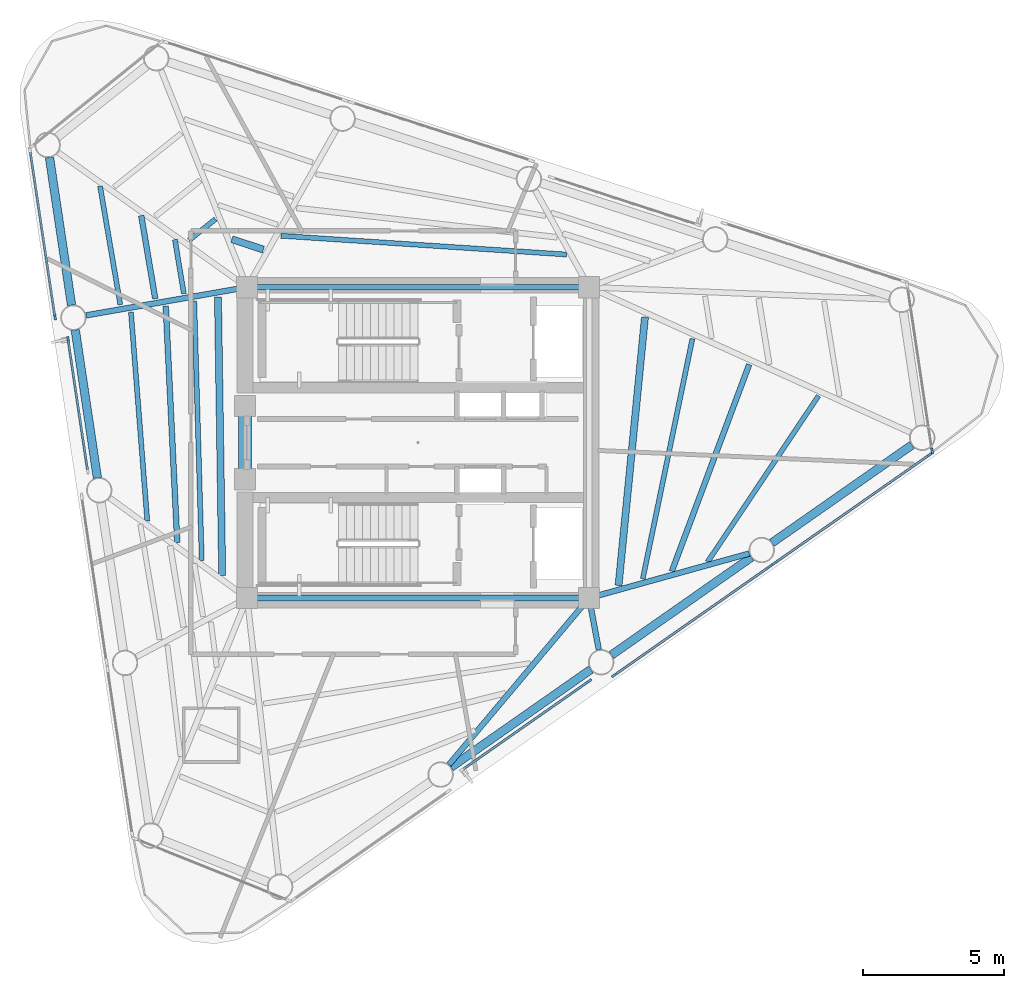
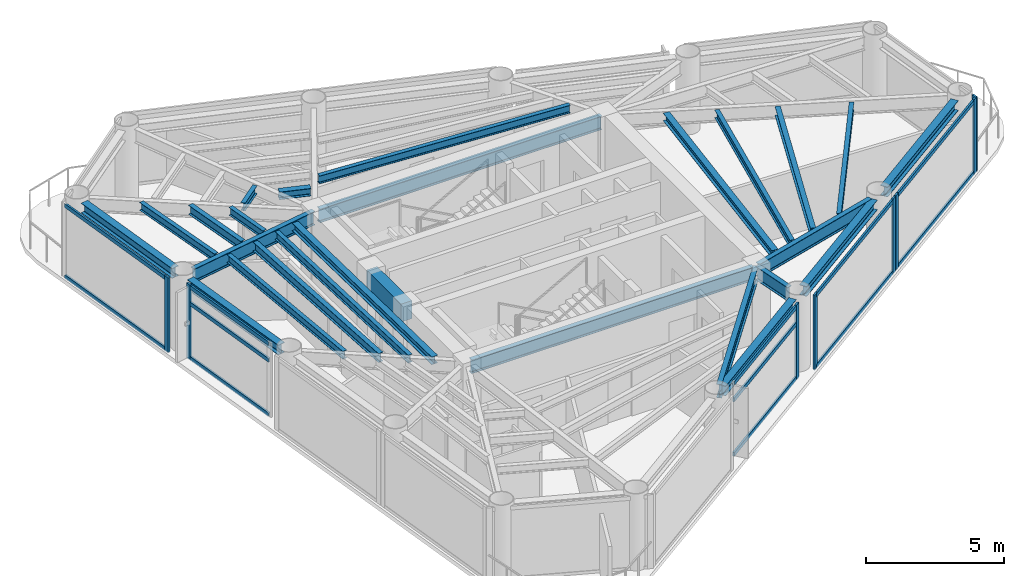
# One storey, part 2 of 9: 26 beams, 20 members, 6 elements without a shape of their own.
"""IFC4 building model written with IfcOpenShell, lengths in metres."""

import ifcopenshell
import ifcopenshell.guid

model = None  # the IFC model being written
_history = None  # IfcOwnerHistory: only IFC2X3 demands one
_inside = {}  # id of a spatial element -> (the spatial element, [elements in it])
_under = {}  # id of a project, library or spatial element -> (it, [spatial elements below it])
_declared = {}  # id of a project -> (the project, [libraries it declares])
_typed = {}  # id of a type object -> (the type object, [elements of that type])
_made_of = {}  # id of a material, layer set ... -> (it, [elements and type objects made of it])


def new_model(schema):
    """Start an empty IFC model of exactly this schema.

    Asked for "IFC4X3", IfcOpenShell would pick the latest addendum, in which some entities
    have other attributes; the version numbers below select the first issue.
    IFC2X3 requires an IfcOwnerHistory on every rooted entity: one is made here for all.
    """
    global model, _history
    if schema == "IFC4X3":
        model = ifcopenshell.file(schema_version=(4, 3, 0, 0))
    else:
        model = ifcopenshell.file(schema=schema)
    _inside.clear()
    _under.clear()
    _declared.clear()
    _typed.clear()
    _made_of.clear()
    _history = None
    if model.schema == "IFC2X3":
        org = make("IfcOrganization", Name="unknown")
        user = make(
            "IfcPersonAndOrganization",
            ThePerson=make("IfcPerson", FamilyName="unknown"),
            TheOrganization=org,
        )
        app = make(
            "IfcApplication",
            ApplicationDeveloper=org,
            Version="unknown",
            ApplicationFullName="unknown",
            ApplicationIdentifier="unknown",
        )
        _history = make(
            "IfcOwnerHistory",
            OwningUser=user,
            OwningApplication=app,
            ChangeAction="ADDED",
            CreationDate=0,
        )
    return model


def make(cls, **values):
    """One entity of the class cls with the attributes given. An attribute that is None is left unset."""
    return model.create_entity(
        cls, **{name: value for name, value in values.items() if value is not None}
    )


def rooted(cls, **values):
    """An entity with a GlobalId (a new one), such as an element, a storey or a relation."""
    return make(cls, GlobalId=ifcopenshell.guid.new(), OwnerHistory=_history, **values)


def si_unit(unit_type, name, prefix=None):
    """IfcSIUnit, for example si_unit("LENGTHUNIT", "METRE", prefix="MILLI")."""
    return make("IfcSIUnit", UnitType=unit_type, Prefix=prefix, Name=name)


def assignment(units):
    """IfcUnitAssignment: the units of a project."""
    return None if units is None else make("IfcUnitAssignment", Units=units)


def point(xyz):
    """IfcCartesianPoint."""
    return None if xyz is None else make("IfcCartesianPoint", Coordinates=xyz)


def direction(xyz):
    """IfcDirection."""
    return None if xyz is None else make("IfcDirection", DirectionRatios=xyz)


def frame(location, z_axis=None, x_axis=None):
    """IfcAxis2Placement3D, a coordinate frame: its origin and axes. An axis left out is left unset."""
    return make(
        "IfcAxis2Placement3D",
        Location=point(location),
        Axis=direction(z_axis),
        RefDirection=direction(x_axis),
    )


def frame_2d(location, x_axis=None):
    """IfcAxis2Placement2D, a coordinate frame in the plane: its origin and x axis."""
    return make(
        "IfcAxis2Placement2D", Location=point(location), RefDirection=direction(x_axis)
    )


def origin():
    """The frame at (0, 0, 0) with its axes left unset."""
    return frame((0.0, 0.0, 0.0))


def origin_2d():
    """The frame at (0, 0) in the plane with its x axis left unset."""
    return frame_2d((0.0, 0.0))


def place(relative_to, where):
    """IfcLocalPlacement: puts the frame where relative to a parent placement (None: the world)."""
    return make(
        "IfcLocalPlacement", PlacementRelTo=relative_to, RelativePlacement=where
    )


def context(
    kind, dimensions, precision=None, world=None, true_north=None, identifier=None
):
    """IfcGeometricRepresentationContext, for example the 3D "Model" context."""
    return make(
        "IfcGeometricRepresentationContext",
        ContextIdentifier=identifier,
        ContextType=kind,
        CoordinateSpaceDimension=dimensions,
        Precision=precision,
        WorldCoordinateSystem=world,
        TrueNorth=true_north,
    )


def subcontext(parent, identifier, kind, view, scale=None):
    """IfcGeometricRepresentationSubContext, for example "Body" below "Model"."""
    return make(
        "IfcGeometricRepresentationSubContext",
        ContextIdentifier=identifier,
        ContextType=kind,
        ParentContext=parent,
        TargetScale=scale,
        TargetView=view,
    )


def project(units=None, contexts=None):
    """IfcProject with its units and contexts."""
    return rooted(
        "IfcProject",
        Name="project",
        RepresentationContexts=contexts,
        UnitsInContext=assignment(units),
    )


def spatial(cls, under=None, at=None, **own):
    """A site, building, storey or space (cls), placed at a placement, below another one or the project."""
    s = rooted(cls, ObjectPlacement=at, **own)
    if under is not None:
        _under.setdefault(under.id(), (under, []))[1].append(s)
    return s


def profile(cls, at=None, kind="AREA", **sizes):
    """A parametric profile (cls). Its sizes go by their IFC names, for example OverallWidth=200.0."""
    return make(cls, ProfileType=kind, Position=at, **sizes)


def rectangle(**sizes):
    """IfcRectangleProfileDef."""
    return profile("IfcRectangleProfileDef", **sizes)


def i_section(**sizes):
    """IfcIShapeProfileDef."""
    return profile("IfcIShapeProfileDef", **sizes)


def extrude(swept, where, along, depth):
    """IfcExtrudedAreaSolid: the profile swept, set in the frame where, extruded along a direction by depth."""
    return make(
        "IfcExtrudedAreaSolid",
        SweptArea=swept,
        Position=where,
        ExtrudedDirection=direction(along),
        Depth=depth,
    )


def shape(context_of_items, identifier, shape_type, items):
    """IfcShapeRepresentation: the items that make up one representation, for example the "Body"."""
    return make(
        "IfcShapeRepresentation",
        ContextOfItems=context_of_items,
        RepresentationIdentifier=identifier,
        RepresentationType=shape_type,
        Items=items,
    )


def source(mapping_origin, context_of_items, identifier, shape_type, items):
    """IfcRepresentationMap: a shape defined once, which mapped items show again and again."""
    return make(
        "IfcRepresentationMap",
        MappingOrigin=mapping_origin,
        MappedRepresentation=shape(context_of_items, identifier, shape_type, items),
    )


def transform(
    local_origin,
    x_axis=None,
    y_axis=None,
    z_axis=None,
    scale=None,
    scale2=None,
    scale3=None,
    uniform=True,
):
    """IfcCartesianTransformationOperator3D, or its non-uniform kind. x_axis, y_axis, z_axis: its Axis1, 2, 3."""
    if uniform:
        return make(
            "IfcCartesianTransformationOperator3D",
            Axis1=direction(x_axis),
            Axis2=direction(y_axis),
            LocalOrigin=point(local_origin),
            Scale=scale,
            Axis3=direction(z_axis),
        )
    return make(
        "IfcCartesianTransformationOperator3DnonUniform",
        Axis1=direction(x_axis),
        Axis2=direction(y_axis),
        LocalOrigin=point(local_origin),
        Scale=scale,
        Axis3=direction(z_axis),
        Scale2=scale2,
        Scale3=scale3,
    )


def mapped(mapping_source, mapping_target):
    """IfcMappedItem: shows the shape of a source again, moved by a transform."""
    return make(
        "IfcMappedItem", MappingSource=mapping_source, MappingTarget=mapping_target
    )


def material(Name=None, Category=None):
    """IfcMaterial."""
    return make("IfcMaterial", Name=Name, Category=Category)


def layer(
    of_material, thickness, ventilated=None, Name=None, Category=None, Priority=None
):
    """IfcMaterialLayer: one layer of a wall or slab, of a material (None: an air gap)."""
    return make(
        "IfcMaterialLayer",
        Material=of_material,
        LayerThickness=thickness,
        IsVentilated=ventilated,
        Name=Name,
        Category=Category,
        Priority=Priority,
    )


def layer_set(layers, Name=None):
    """IfcMaterialLayerSet."""
    return make("IfcMaterialLayerSet", MaterialLayers=layers, LayerSetName=Name)


def material_profile(
    of_material, cross_section, Name=None, Category=None, Priority=None
):
    """IfcMaterialProfile: a cross section and its material."""
    return make(
        "IfcMaterialProfile",
        Name=Name,
        Material=of_material,
        Profile=cross_section,
        Priority=Priority,
        Category=Category,
    )


def profile_set(profiles, Name=None, composite=None):
    """IfcMaterialProfileSet."""
    return make(
        "IfcMaterialProfileSet",
        Name=Name,
        MaterialProfiles=profiles,
        CompositeProfile=composite,
    )


def made_of(thing, what):
    """Note that an element or type object is made of a material, layer set ...; save() writes the relation."""
    if what is not None:
        _made_of.setdefault(what.id(), (what, []))[1].append(thing)
    return thing


def type_object(cls, material=None, **own):
    """A type object (cls), such as IfcWallType, which elements share."""
    return made_of(rooted(cls, **own), material)


def element(
    cls,
    number,
    at=None,
    inside=None,
    cuts=None,
    type_object=None,
    material=None,
    context=None,
    identifier="Body",
    shape_type=None,
    held_by="IfcProductDefinitionShape",
    body=None,
    shapes=None,
    **own,
):
    """One element of the class cls, such as IfcWall. Its Tag is "e" and its number.

    at: its placement. inside: the storey or other place that contains it. cuts: it is an
    opening in that element (IfcRelVoidsElement). A single representation is given by context,
    identifier, shape_type and body (its items); several are given by shapes. held_by: the class
    of the entity that holds the representations. save() writes the other relations.
    """
    e = rooted(cls, Tag="e%d" % number, ObjectPlacement=at, **own)
    if body is not None:
        shapes = [shape(context, identifier, shape_type, body)]
    if shapes is not None:
        e.Representation = make(held_by, Representations=shapes)
    if inside is not None:
        _inside.setdefault(inside.id(), (inside, []))[1].append(e)
    if cuts is not None:
        rooted(
            "IfcRelVoidsElement", RelatingBuildingElement=cuts, RelatedOpeningElement=e
        )
    if type_object is not None:
        _typed.setdefault(type_object.id(), (type_object, []))[1].append(e)
    return made_of(e, material)


def aggregate(whole, parts):
    """IfcRelAggregates: a whole, such as a stair, and the parts it consists of."""
    return rooted("IfcRelAggregates", RelatingObject=whole, RelatedObjects=parts)


def save(model, path):
    """Write the relations noted so far, then the file.

    IfcRelAggregates (storeys below a building ...), IfcRelContainedInSpatialStructure (elements
    in a storey), IfcRelDefinesByType, IfcRelAssociatesMaterial and IfcRelDeclares: one each for
    every whole, place, type object, material and project.
    """
    for whole, parts in _under.values():
        aggregate(whole, parts)
    for where, things in _inside.values():
        rooted(
            "IfcRelContainedInSpatialStructure",
            RelatedElements=things,
            RelatingStructure=where,
        )
    for kind, things in _typed.values():
        rooted("IfcRelDefinesByType", RelatedObjects=things, RelatingType=kind)
    for what, things in _made_of.values():
        rooted("IfcRelAssociatesMaterial", RelatedObjects=things, RelatingMaterial=what)
    for by, libraries in _declared.values():
        rooted("IfcRelDeclares", RelatingContext=by, RelatedDefinitions=libraries)
    model.write(path)


model = new_model("IFC4")

# Units and contexts
model_context = context("Model", 3, precision=1e-05, world=origin(), true_north=direction((0.0, 1.0)))
body_context = subcontext(model_context, "Body", "Model", "MODEL_VIEW")
ifc_project = project(units=[si_unit("LENGTHUNIT", "METRE"), si_unit("AREAUNIT", "SQUARE_METRE"), si_unit("VOLUMEUNIT", "CUBIC_METRE"), si_unit("PLANEANGLEUNIT", "RADIAN"), si_unit("MASSUNIT", "GRAM", prefix="KILO")], contexts=[model_context])

# Site, building, storey
site_placement = place(None, origin())
site = spatial("IfcSite", under=ifc_project, at=site_placement, CompositionType="ELEMENT")
building_placement = place(site_placement, origin())
building = spatial("IfcBuilding", under=site, at=building_placement, Name="Yunling Apex Tower", CompositionType="ELEMENT")
storey_placement = place(building_placement, frame((0.0, 0.0, 274.550048828125)))
storey = spatial("IfcBuildingStorey", under=building, at=storey_placement, Name="L67", CompositionType="ELEMENT", Elevation=274.550048828125)

# Beams
ifc_material_1 = material(Name="Concrete C40", Category="concrete")
ifc_material_profile_1 = material_profile(ifc_material_1, rectangle(XDim=0.449951171875, YDim=0.800048828125, at=origin_2d()))
ifc_profile_set_1 = profile_set([ifc_material_profile_1], Name="Concrete C40")
beam_type_1 = type_object("IfcBeamType", Name="BC-CPL-3", PredefinedType="BEAM", material=ifc_profile_set_1)
shared_shape_1 = source(origin(), body_context, "Body", "SweptSolid", [
    extrude(rectangle(XDim=0.449951171875, YDim=0.800048828125, at=origin_2d()), origin(), (0.0, 0.0, 1.0), 2.5),
])
beam_1_placement = place(storey_placement, frame((-6.125, -1.25, 2.820068359375), z_axis=(0.0, 1.0, 0.0), x_axis=(-1.0, 0.0, 0.0)))
element("IfcBeam", 1, at=beam_1_placement, inside=storey, type_object=beam_type_1, Name="L67 Core West Portal Coupling Beam", PredefinedType="BEAM", context=body_context, shape_type="MappedRepresentation", body=[
    mapped(shared_shape_1, transform((0.0, 0.0, 0.0), scale=1.0)),
])
ifc_material_2 = material(Name="Steel Q355B", Category="steel")
ifc_material_profile_2 = material_profile(ifc_material_2, i_section(OverallWidth=0.199951171875, OverallDepth=0.60009765625, WebThickness=0.010986328125, FlangeThickness=0.01708984375, FilletRadius=0.02197265625, at=origin_2d()))
ifc_profile_set_2 = profile_set([ifc_material_profile_2], Name="Steel Q355B")
beam_type_2 = type_object("IfcBeamType", Name="BG-PRI-5", PredefinedType="USERDEFINED", material=ifc_profile_set_2)
shared_shape_2 = source(origin(), body_context, "Body", "SweptSolid", [
    extrude(i_section(OverallWidth=0.199951171875, OverallDepth=0.60009765625, WebThickness=0.010986328125, FlangeThickness=0.01708984375, FilletRadius=0.02197265625, at=origin_2d()), origin(), (0.0, 0.0, 1.0), 11.7998046875),
])
for number, where, z_axis, x_axis, name in (
    (2, (-5.89990234375, -5.5, 2.919921875), (1.0, 0.0, 0.0), (0.0, 1.0, 0.0), "L67 Core Ring Tie Beam 1"),
    (3, (5.89990234375, 5.5, 2.919921875), (-1.0, 0.0, 0.0), (0.0, -1.0, 0.0), "L67 Core Ring Tie Beam 3"),
):
    element("IfcBeam", number, at=place(storey_placement, frame(where, z_axis=z_axis, x_axis=x_axis)), inside=storey, type_object=beam_type_2, Name=name, ObjectType="GIRDER", PredefinedType="USERDEFINED", context=body_context, shape_type="MappedRepresentation", body=[
        mapped(shared_shape_2, transform((0.0, 0.0, 0.0), scale=1.0)),
    ])
ifc_material_profile_3 = material_profile(ifc_material_2, i_section(OverallWidth=0.300048828125, OverallDepth=0.43994140625, WebThickness=0.010986328125, FlangeThickness=0.01806640625, FilletRadius=0.02197265625, at=origin_2d()))
ifc_profile_set_3 = profile_set([ifc_material_profile_3], Name="Steel Q355B")
beam_type_3 = type_object("IfcBeamType", Name="BP-SPN-3", PredefinedType="SPANDREL", material=ifc_profile_set_3)
shared_shape_3 = source(origin(), body_context, "Body", "SweptSolid", [
    extrude(i_section(OverallWidth=0.300048828125, OverallDepth=0.43994140625, WebThickness=0.010986328125, FlangeThickness=0.01806640625, FilletRadius=0.02197265625, at=origin_2d()), origin(), (0.0, 0.0, 1.0), 6.043701171875),
])
for number, where, z_axis, x_axis, name in (
    (4, (1.160888671875, -11.490478515625, 3.0), (0.819546828705, 0.5730122124, 0.0), (-0.5730122124, 0.819546828705, 0.0), "L67 Perimeter Spandrel Beam 2"),
    (5, (6.841796875, -7.5185546875, 3.0), (0.819546828705, 0.5730122124, 0.0), (-0.5730122124, 0.819546828705, 0.0), "L67 Perimeter Spandrel Beam 3"),
    (6, (12.522705078125, -3.546630859375, 3.0), (0.819546828705, 0.5730122124, 0.0), (-0.5730122124, 0.819546828705, 0.0), "L67 Perimeter Spandrel Beam 4"),
):
    element("IfcBeam", number, at=place(storey_placement, frame(where, z_axis=z_axis, x_axis=x_axis)), inside=storey, type_object=beam_type_3, Name=name, PredefinedType="SPANDREL", context=body_context, shape_type="MappedRepresentation", body=[
        mapped(shared_shape_3, transform((0.0, 0.0, 0.0), scale=1.0)),
    ])
shared_shape_4 = source(origin(), body_context, "Body", "SweptSolid", [
    extrude(i_section(OverallWidth=0.300048828125, OverallDepth=0.43994140625, WebThickness=0.010986328125, FlangeThickness=0.01806640625, FilletRadius=0.02197265625, at=origin_2d()), origin(), (0.0, 0.0, 1.0), 5.289306640625),
])
for number, where, z_axis, x_axis, name in (
    (7, (-13.044189453125, 10.09326171875, 3.0), (0.147841619944, -0.989011049186, 0.0), (0.989011049186, 0.147841619944, 0.0), "L67 Perimeter Spandrel Beam 11"),
    (8, (-12.131103515625, 3.98388671875, 3.0), (0.147796471114, -0.989017797174, 0.0), (0.989017797174, 0.147796471114, 0.0), "L67 Perimeter Spandrel Beam 12"),
):
    element("IfcBeam", number, at=place(storey_placement, frame(where, z_axis=z_axis, x_axis=x_axis)), inside=storey, type_object=beam_type_3, Name=name, PredefinedType="SPANDREL", context=body_context, shape_type="MappedRepresentation", body=[
        mapped(shared_shape_4, transform((0.0, 0.0, 0.0), scale=1.0)),
    ])
shared_shape_5 = source(origin(), body_context, "Body", "SweptSolid", [
    extrude(i_section(OverallWidth=0.199951171875, OverallDepth=0.60009765625, WebThickness=0.010986328125, FlangeThickness=0.01708984375, FilletRadius=0.02197265625, at=origin_2d()), origin(), (0.0, 0.0, 1.0), 7.622314453125),
])
beam_2_placement = place(storey_placement, frame((1.091796875, -11.394287109375, 2.919921875), z_axis=(0.64373126237, 0.765251633025, 0.0), x_axis=(-0.765251633025, 0.64373126237, 0.0)))
element("IfcBeam", 9, at=beam_2_placement, inside=storey, type_object=beam_type_2, Name="L67 Radial Primary Girder R02", ObjectType="GIRDER", PredefinedType="USERDEFINED", context=body_context, shape_type="MappedRepresentation", body=[
    mapped(shared_shape_5, transform((0.0, 0.0, 0.0), scale=1.0)),
])
shared_shape_6 = source(origin(), body_context, "Body", "SweptSolid", [
    extrude(i_section(OverallWidth=0.199951171875, OverallDepth=0.60009765625, WebThickness=0.010986328125, FlangeThickness=0.01708984375, FilletRadius=0.02197265625, at=origin_2d()), origin(), (0.0, 0.0, 1.0), 1.775146484375),
])
beam_3_placement = place(storey_placement, frame((6.393310546875, -7.322998046875, 2.919921875), z_axis=(-0.185127194989, 0.982714567754, 0.0), x_axis=(-0.982714567754, -0.185127194989, 0.0)))
element("IfcBeam", 10, at=beam_3_placement, inside=storey, type_object=beam_type_2, Name="L67 Radial Primary Girder R03", ObjectType="GIRDER", PredefinedType="USERDEFINED", context=body_context, shape_type="MappedRepresentation", body=[
    mapped(shared_shape_6, transform((0.0, 0.0, 0.0), scale=1.0)),
])
shared_shape_7 = source(origin(), body_context, "Body", "SweptSolid", [
    extrude(i_section(OverallWidth=0.199951171875, OverallDepth=0.60009765625, WebThickness=0.010986328125, FlangeThickness=0.01708984375, FilletRadius=0.02197265625, at=origin_2d()), origin(), (0.0, 0.0, 1.0), 5.802490234375),
])
beam_4_placement = place(storey_placement, frame((11.717529296875, -3.923828125, 2.919921875), z_axis=(-0.963437091081, -0.267934640405, 0.0), x_axis=(0.267934640405, -0.963437091081, 0.0)))
element("IfcBeam", 11, at=beam_4_placement, inside=storey, type_object=beam_type_2, Name="L67 Radial Primary Girder R04", ObjectType="GIRDER", PredefinedType="USERDEFINED", context=body_context, shape_type="MappedRepresentation", body=[
    mapped(shared_shape_7, transform((0.0, 0.0, 0.0), scale=1.0)),
])
shared_shape_8 = source(origin(), body_context, "Body", "SweptSolid", [
    extrude(i_section(OverallWidth=0.199951171875, OverallDepth=0.60009765625, WebThickness=0.010986328125, FlangeThickness=0.01708984375, FilletRadius=0.02197265625, at=origin_2d()), origin(), (0.0, 0.0, 1.0), 5.7021484375),
])
beam_5_placement = place(storey_placement, frame((-11.74560546875, 4.501953125, 2.919921875), z_axis=(0.984994459553, 0.172585963073, 0.0), x_axis=(-0.172585963073, 0.984994459553, 0.0)))
element("IfcBeam", 12, at=beam_5_placement, inside=storey, type_object=beam_type_2, Name="L67 Radial Primary Girder R12", ObjectType="GIRDER", PredefinedType="USERDEFINED", context=body_context, shape_type="MappedRepresentation", body=[
    mapped(shared_shape_8, transform((0.0, 0.0, 0.0), scale=1.0)),
])
ifc_material_profile_4 = material_profile(ifc_material_2, i_section(OverallWidth=0.199951171875, OverallDepth=0.39990234375, WebThickness=0.008056640625, FlangeThickness=0.012939453125, FilletRadius=0.01611328125, at=origin_2d()))
ifc_profile_set_4 = profile_set([ifc_material_profile_4], Name="Steel Q355B")
beam_type_4 = type_object("IfcBeamType", Name="BS-SEC-4", PredefinedType="BEAM", material=ifc_profile_set_4)
shared_shape_9 = source(origin(), body_context, "Body", "SweptSolid", [
    extrude(i_section(OverallWidth=0.199951171875, OverallDepth=0.39990234375, WebThickness=0.008056640625, FlangeThickness=0.012939453125, FilletRadius=0.01611328125, at=origin_2d()), origin(), (0.0, 0.0, 1.0), 7.810546875),
])
beam_6_placement = place(storey_placement, frame((8.978515625, -4.551513671875, 3.02001953125), z_axis=(0.350554744198, 0.936542242144, 0.0), x_axis=(-0.936542242144, 0.350554744198, 0.0)))
element("IfcBeam", 13, at=beam_6_placement, inside=storey, type_object=beam_type_4, Name="L67 Composite Floor Beam BS-4", PredefinedType="BEAM", context=body_context, shape_type="MappedRepresentation", body=[
    mapped(shared_shape_9, transform((0.0, 0.0, 0.0), scale=1.0)),
])
ifc_material_profile_5 = material_profile(ifc_material_2, i_section(OverallWidth=0.175048828125, OverallDepth=0.35009765625, WebThickness=0.007080078125, FlangeThickness=0.010986328125, FilletRadius=0.013916015625, at=origin_2d()))
ifc_profile_set_5 = profile_set([ifc_material_profile_5], Name="Steel Q355B")
beam_type_5 = type_object("IfcBeamType", Name="BJ-JST-1", PredefinedType="JOIST", material=ifc_profile_set_5)
shared_shape_10 = source(origin(), body_context, "Body", "SweptSolid", [
    extrude(i_section(OverallWidth=0.175048828125, OverallDepth=0.35009765625, WebThickness=0.007080078125, FlangeThickness=0.010986328125, FilletRadius=0.013916015625, at=origin_2d()), origin(), (0.0, 0.0, 1.0), 7.07373046875),
])
beam_7_placement = place(storey_placement, frame((10.240966796875, -4.22607421875, 3.044921875), z_axis=(0.555384960756, 0.831593377418, 0.0), x_axis=(-0.831593377418, 0.555384960756, 0.0)))
element("IfcBeam", 14, at=beam_7_placement, inside=storey, type_object=beam_type_5, Name="L67 Composite Floor Joist BJ1-4", PredefinedType="JOIST", context=body_context, shape_type="MappedRepresentation", body=[
    mapped(shared_shape_10, transform((0.0, 0.0, 0.0), scale=1.0)),
])
shared_shape_11 = source(origin(), body_context, "Body", "SweptSolid", [
    extrude(i_section(OverallWidth=0.175048828125, OverallDepth=0.35009765625, WebThickness=0.007080078125, FlangeThickness=0.010986328125, FilletRadius=0.013916015625, at=origin_2d()), origin(), (0.0, 0.0, 1.0), 8.68017578125),
])
beam_8_placement = place(storey_placement, frame((7.948486328125, -4.824462890625, 3.044921875), z_axis=(0.202510736311, 0.97928004252, 0.0), x_axis=(-0.97928004252, 0.202510736311, 0.0)))
element("IfcBeam", 15, at=beam_8_placement, inside=storey, type_object=beam_type_5, Name="L67 Composite Floor Joist BJ3-4", PredefinedType="JOIST", context=body_context, shape_type="MappedRepresentation", body=[
    mapped(shared_shape_11, transform((0.0, 0.0, 0.0), scale=1.0)),
])
ifc_material_profile_6 = material_profile(ifc_material_2, i_section(OverallWidth=0.25, OverallDepth=0.340087890625, WebThickness=0.009033203125, FlangeThickness=0.013916015625, FilletRadius=0.01806640625, at=origin_2d()))
ifc_profile_set_6 = profile_set([ifc_material_profile_6], Name="Steel Q355B")
beam_type_6 = type_object("IfcBeamType", Name="BJ-JST-2", PredefinedType="JOIST", material=ifc_profile_set_6)
shared_shape_12 = source(origin(), body_context, "Body", "SweptSolid", [
    extrude(i_section(OverallWidth=0.25, OverallDepth=0.340087890625, WebThickness=0.009033203125, FlangeThickness=0.013916015625, FilletRadius=0.01806640625, at=origin_2d()), origin(), (0.0, 0.0, 1.0), 9.54052734375),
])
beam_9_placement = place(storey_placement, frame((7.093017578125, -5.05517578125, 3.050048828125), z_axis=(0.098008759691, 0.995185552057, 0.0), x_axis=(-0.995185552057, 0.098008759691, 0.0)))
element("IfcBeam", 16, at=beam_9_placement, inside=storey, type_object=beam_type_6, Name="L67 Composite Floor Joist BJ2-4", PredefinedType="JOIST", context=body_context, shape_type="MappedRepresentation", body=[
    mapped(shared_shape_12, transform((0.0, 0.0, 0.0), scale=1.0)),
])
shared_shape_13 = source(origin(), body_context, "Body", "SweptSolid", [
    extrude(i_section(OverallWidth=0.175048828125, OverallDepth=0.35009765625, WebThickness=0.007080078125, FlangeThickness=0.010986328125, FilletRadius=0.013916015625, at=origin_2d()), origin(), (0.0, 0.0, 1.0), 10.130615234375),
])
beam_10_placement = place(storey_placement, frame((5.254150390625, 6.654541015625, 3.044921875), z_axis=(-0.997852458327, 0.065501690135, 0.0), x_axis=(-0.065501690135, -0.997852458327, 0.0)))
element("IfcBeam", 17, at=beam_10_placement, inside=storey, type_object=beam_type_5, Name="L67 Composite Floor Joist BJ3-8", PredefinedType="JOIST", context=body_context, shape_type="MappedRepresentation", body=[
    mapped(shared_shape_13, transform((0.0, 0.0, 0.0), scale=1.0)),
])
shared_shape_14 = source(origin(), body_context, "Body", "SweptSolid", [
    extrude(i_section(OverallWidth=0.25, OverallDepth=0.340087890625, WebThickness=0.009033203125, FlangeThickness=0.013916015625, FilletRadius=0.01806640625, at=origin_2d()), origin(), (0.0, 0.0, 1.0), 1.1728515625),
])
beam_11_placement = place(storey_placement, frame((-5.4775390625, 6.8291015625, 3.050048828125), z_axis=(-0.949595193506, 0.31347881662, 0.0), x_axis=(-0.31347881662, -0.949595193506, 0.0)))
element("IfcBeam", 18, at=beam_11_placement, inside=storey, type_object=beam_type_6, Name="L67 Composite Floor Joist BJ2-9", PredefinedType="JOIST", context=body_context, shape_type="MappedRepresentation", body=[
    mapped(shared_shape_14, transform((0.0, 0.0, 0.0), scale=1.0)),
])
shared_shape_15 = source(origin(), body_context, "Body", "SweptSolid", [
    extrude(i_section(OverallWidth=0.175048828125, OverallDepth=0.35009765625, WebThickness=0.007080078125, FlangeThickness=0.010986328125, FilletRadius=0.013916015625, at=origin_2d()), origin(), (0.0, 0.0, 1.0), 1.2021484375),
])
beam_12_placement = place(storey_placement, frame((-7.169921875, 7.9072265625, 3.044921875), z_axis=(-0.781225299788, -0.624249173785, 0.0), x_axis=(0.624249173785, -0.781225299788, 0.0)))
element("IfcBeam", 19, at=beam_12_placement, inside=storey, type_object=beam_type_5, Name="L67 Composite Floor Joist BJ3-10", PredefinedType="JOIST", context=body_context, shape_type="MappedRepresentation", body=[
    mapped(shared_shape_15, transform((0.0, 0.0, 0.0), scale=1.0)),
])
shared_shape_16 = source(origin(), body_context, "Body", "SweptSolid", [
    extrude(i_section(OverallWidth=0.199951171875, OverallDepth=0.39990234375, WebThickness=0.008056640625, FlangeThickness=0.012939453125, FilletRadius=0.01611328125, at=origin_2d()), origin(), (0.0, 0.0, 1.0), 2.980712890625),
])
beam_13_placement = place(storey_placement, frame((-9.796630859375, 8.031982421875, 3.02001953125), z_axis=(0.166351127682, -0.986066581078, 0.0), x_axis=(0.986066581078, 0.166351127682, 0.0)))
element("IfcBeam", 20, at=beam_13_placement, inside=storey, type_object=beam_type_4, Name="L67 Composite Floor Beam BS-11", PredefinedType="BEAM", context=body_context, shape_type="MappedRepresentation", body=[
    mapped(shared_shape_16, transform((0.0, 0.0, 0.0), scale=1.0)),
])
shared_shape_17 = source(origin(), body_context, "Body", "SweptSolid", [
    extrude(i_section(OverallWidth=0.175048828125, OverallDepth=0.35009765625, WebThickness=0.007080078125, FlangeThickness=0.010986328125, FilletRadius=0.013916015625, at=origin_2d()), origin(), (0.0, 0.0, 1.0), 4.2548828125),
])
beam_14_placement = place(storey_placement, frame((-11.253173828125, 9.0703125, 3.044921875), z_axis=(0.168352217176, -0.985726904864, 0.0), x_axis=(0.985726904864, 0.168352217176, 0.0)))
element("IfcBeam", 21, at=beam_14_placement, inside=storey, type_object=beam_type_5, Name="L67 Composite Floor Joist BJ1-11", PredefinedType="JOIST", context=body_context, shape_type="MappedRepresentation", body=[
    mapped(shared_shape_17, transform((0.0, 0.0, 0.0), scale=1.0)),
])
shared_shape_18 = source(origin(), body_context, "Body", "SweptSolid", [
    extrude(i_section(OverallWidth=0.175048828125, OverallDepth=0.35009765625, WebThickness=0.007080078125, FlangeThickness=0.010986328125, FilletRadius=0.013916015625, at=origin_2d()), origin(), (0.0, 0.0, 1.0), 1.93798828125),
])
beam_15_placement = place(storey_placement, frame((-8.605224609375, 7.18212890625, 3.044921875), z_axis=(0.163009711077, -0.986624464573, 0.0), x_axis=(0.986624464573, 0.163009711077, 0.0)))
element("IfcBeam", 22, at=beam_15_placement, inside=storey, type_object=beam_type_5, Name="L67 Composite Floor Joist BJ3-11", PredefinedType="JOIST", context=body_context, shape_type="MappedRepresentation", body=[
    mapped(shared_shape_18, transform((0.0, 0.0, 0.0), scale=1.0)),
])
shared_shape_19 = source(origin(), body_context, "Body", "SweptSolid", [
    extrude(i_section(OverallWidth=0.199951171875, OverallDepth=0.39990234375, WebThickness=0.008056640625, FlangeThickness=0.012939453125, FilletRadius=0.01611328125, at=origin_2d()), origin(), (0.0, 0.0, 1.0), 8.388916015625),
])
beam_16_placement = place(storey_placement, frame((-8.929443359375, 4.834228515625, 3.02001953125), z_axis=(0.048573134041, -0.998819628687, 0.0), x_axis=(0.998819628687, 0.048573134041, 0.0)))
element("IfcBeam", 23, at=beam_16_placement, inside=storey, type_object=beam_type_4, Name="L67 Composite Floor Beam BS-12", PredefinedType="BEAM", context=body_context, shape_type="MappedRepresentation", body=[
    mapped(shared_shape_19, transform((0.0, 0.0, 0.0), scale=1.0)),
])
shared_shape_20 = source(origin(), body_context, "Body", "SweptSolid", [
    extrude(i_section(OverallWidth=0.175048828125, OverallDepth=0.35009765625, WebThickness=0.007080078125, FlangeThickness=0.010986328125, FilletRadius=0.013916015625, at=origin_2d()), origin(), (0.0, 0.0, 1.0), 7.416259765625),
])
beam_17_placement = place(storey_placement, frame((-10.160400390625, 4.6181640625, 3.044921875), z_axis=(0.077952594819, -0.996957066759, 0.0), x_axis=(0.996957066759, 0.077952594819, 0.0)))
element("IfcBeam", 24, at=beam_17_placement, inside=storey, type_object=beam_type_5, Name="L67 Composite Floor Joist BJ1-12", PredefinedType="JOIST", context=body_context, shape_type="MappedRepresentation", body=[
    mapped(shared_shape_20, transform((0.0, 0.0, 0.0), scale=1.0)),
])
shared_shape_21 = source(origin(), body_context, "Body", "SweptSolid", [
    extrude(i_section(OverallWidth=0.175048828125, OverallDepth=0.35009765625, WebThickness=0.007080078125, FlangeThickness=0.010986328125, FilletRadius=0.013916015625, at=origin_2d()), origin(), (0.0, 0.0, 1.0), 9.189208984375),
])
beam_18_placement = place(storey_placement, frame((-7.92138671875, 5.01123046875, 3.044921875), z_axis=(0.028986034605, -0.999579816622, 0.0), x_axis=(0.999579816622, 0.028986034605, 0.0)))
element("IfcBeam", 25, at=beam_18_placement, inside=storey, type_object=beam_type_5, Name="L67 Composite Floor Joist BJ3-12", PredefinedType="JOIST", context=body_context, shape_type="MappedRepresentation", body=[
    mapped(shared_shape_21, transform((0.0, 0.0, 0.0), scale=1.0)),
])
shared_shape_22 = source(origin(), body_context, "Body", "SweptSolid", [
    extrude(i_section(OverallWidth=0.25, OverallDepth=0.340087890625, WebThickness=0.009033203125, FlangeThickness=0.013916015625, FilletRadius=0.01806640625, at=origin_2d()), origin(), (0.0, 0.0, 1.0), 9.858642578125),
])
beam_19_placement = place(storey_placement, frame((-7.081298828125, 5.158935546875, 3.050048828125), z_axis=(0.015056743551, -0.999886640812, 0.0), x_axis=(0.999886640812, 0.015056743551, 0.0)))
element("IfcBeam", 26, at=beam_19_placement, inside=storey, type_object=beam_type_6, Name="L67 Composite Floor Joist BJ2-12", PredefinedType="JOIST", context=body_context, shape_type="MappedRepresentation", body=[
    mapped(shared_shape_22, transform((0.0, 0.0, 0.0), scale=1.0)),
])

# Curtain wall, member
ifc_material_3 = material(Name="Bronze anodised aluminium", Category="aluminium")
ifc_layer = layer(ifc_material_3, 0.219970703125)
ifc_layer_set = layer_set([ifc_layer], Name="Bronze anodised aluminium")
curtain_wall_type = type_object("IfcCurtainWallType", Name="CW-SYS-4", PredefinedType="NOTDEFINED", material=ifc_layer_set)
curtain_wall_1_placement = place(storey_placement, origin())
curtain_wall_1 = element("IfcCurtainWall", 27, at=curtain_wall_1_placement, inside=storey, type_object=curtain_wall_type, Name="CW-L67-F1-B2", PredefinedType="NOTDEFINED")
ifc_material_profile_7 = material_profile(ifc_material_3, rectangle(XDim=0.080078125, YDim=0.219970703125, at=origin_2d()))
ifc_profile_set_7 = profile_set([ifc_material_profile_7], Name="Bronze anodised aluminium")
member_type_1 = type_object("IfcMemberType", Name="CW-MUL-4", PredefinedType="MULLION", material=ifc_profile_set_7)
shared_shape_23 = source(origin(), body_context, "Body", "SweptSolid", [
    extrude(rectangle(XDim=0.080078125, YDim=0.219970703125, at=origin_2d()), origin(), (0.0, 0.0, 1.0), 3.320068359375),
])
member_1_placement = place(storey_placement, frame((6.04345703125, -8.44287109375, -0.050048828125), z_axis=(0.0, 0.0, 1.0), x_axis=(-0.57299879219, 0.819556211708, 0.0)))
member_1 = element("IfcMember", 28, at=member_1_placement, type_object=member_type_1, Name="CW-SYS-4 mullion 2", PredefinedType="MULLION", context=body_context, shape_type="MappedRepresentation", body=[
    mapped(shared_shape_23, transform((0.0, 0.0, 0.0), scale=1.0)),
])

# Curtain wall, members
curtain_wall_2_placement = place(storey_placement, origin())
curtain_wall_2 = element("IfcCurtainWall", 29, at=curtain_wall_2_placement, inside=storey, type_object=curtain_wall_type, Name="CW-L67-F1-B3", PredefinedType="NOTDEFINED")
member_2_placement = place(storey_placement, frame((6.94287109375, -8.228759765625, -0.050048828125), z_axis=(0.0, 0.0, 1.0), x_axis=(-0.573010322379, 0.81954815017, 0.0)))
member_2 = element("IfcMember", 30, at=member_2_placement, type_object=member_type_1, Name="CW-SYS-4 mullion 1", PredefinedType="MULLION", context=body_context, shape_type="MappedRepresentation", body=[
    mapped(shared_shape_23, transform((0.0, 0.0, 0.0), scale=1.0)),
])
member_3_placement = place(storey_placement, frame((12.42724609375, -4.394287109375, -0.050048828125), z_axis=(0.0, 0.0, 1.0), x_axis=(-0.573010322379, 0.81954815017, 0.0)))
member_3 = element("IfcMember", 31, at=member_3_placement, type_object=member_type_1, Name="CW-SYS-4 mullion 2", PredefinedType="MULLION", context=body_context, shape_type="MappedRepresentation", body=[
    mapped(shared_shape_23, transform((0.0, 0.0, 0.0), scale=1.0)),
])

curtain_wall_3_placement = place(storey_placement, origin())
curtain_wall_3 = element("IfcCurtainWall", 32, at=curtain_wall_3_placement, inside=storey, type_object=curtain_wall_type, Name="CW-L67-F1-B4", PredefinedType="NOTDEFINED")
member_4_placement = place(storey_placement, frame((12.623779296875, -4.2568359375, -0.050048828125), z_axis=(0.0, 0.0, 1.0), x_axis=(-0.573000403744, 0.819555084976, 0.0)))
member_4 = element("IfcMember", 33, at=member_4_placement, type_object=member_type_1, Name="CW-SYS-4 mullion 1", PredefinedType="MULLION", context=body_context, shape_type="MappedRepresentation", body=[
    mapped(shared_shape_23, transform((0.0, 0.0, 0.0), scale=1.0)),
])
member_5_placement = place(storey_placement, frame((18.108154296875, -0.42236328125, -0.050048828125), z_axis=(0.0, 0.0, 1.0), x_axis=(-0.573000403744, 0.819555084976, 0.0)))
member_5 = element("IfcMember", 34, at=member_5_placement, type_object=member_type_1, Name="CW-SYS-4 mullion 2", PredefinedType="MULLION", context=body_context, shape_type="MappedRepresentation", body=[
    mapped(shared_shape_23, transform((0.0, 0.0, 0.0), scale=1.0)),
])

# Curtain wall, member
curtain_wall_4_placement = place(storey_placement, origin())
curtain_wall_4 = element("IfcCurtainWall", 35, at=curtain_wall_4_placement, inside=storey, type_object=curtain_wall_type, Name="CW-L67-CRN1", PredefinedType="NOTDEFINED")
member_6_placement = place(storey_placement, frame((18.189208984375, -0.2978515625, -0.050048828125), z_axis=(0.0, 0.0, 1.0), x_axis=(-0.989016885218, -0.147802573571, 0.0)))
member_6 = element("IfcMember", 36, at=member_6_placement, type_object=member_type_1, Name="CW-SYS-4 mullion 1", PredefinedType="MULLION", context=body_context, shape_type="MappedRepresentation", body=[
    mapped(shared_shape_23, transform((0.0, 0.0, 0.0), scale=1.0)),
])
aggregate(curtain_wall_4, [member_6])

curtain_wall_5_placement = place(storey_placement, origin())
curtain_wall_5 = element("IfcCurtainWall", 37, at=curtain_wall_5_placement, inside=storey, type_object=curtain_wall_type, Name="CW-L67-F3-B1", PredefinedType="NOTDEFINED")
member_7_placement = place(storey_placement, frame((-12.847412109375, 4.447265625, -0.050048828125), z_axis=(0.0, 0.0, 1.0), x_axis=(0.989016174309, 0.147807330522, 0.0)))
member_7 = element("IfcMember", 38, at=member_7_placement, type_object=member_type_1, Name="CW-SYS-4 mullion 2", PredefinedType="MULLION", context=body_context, shape_type="MappedRepresentation", body=[
    mapped(shared_shape_23, transform((0.0, 0.0, 0.0), scale=1.0)),
])

curtain_wall_6_placement = place(storey_placement, origin())
curtain_wall_6 = element("IfcCurtainWall", 39, at=curtain_wall_6_placement, inside=storey, type_object=curtain_wall_type, Name="CW-L67-F3-B2", PredefinedType="NOTDEFINED")
member_8_placement = place(storey_placement, frame((-12.384033203125, 3.646728515625, -0.050048828125), z_axis=(0.0, 0.0, 1.0), x_axis=(0.989016661745, 0.147804068926, 0.0)))
member_8 = element("IfcMember", 40, at=member_8_placement, type_object=member_type_1, Name="CW-SYS-4 mullion 1", PredefinedType="MULLION", context=body_context, shape_type="MappedRepresentation", body=[
    mapped(shared_shape_23, transform((0.0, 0.0, 0.0), scale=1.0)),
])

# Member
ifc_material_profile_8 = material_profile(ifc_material_3, rectangle(XDim=0.080078125, YDim=0.169921875, at=origin_2d()))
ifc_profile_set_8 = profile_set([ifc_material_profile_8], Name="Bronze anodised aluminium")
member_type_2 = type_object("IfcMemberType", Name="CW-TRN-4", PredefinedType="USERDEFINED", material=ifc_profile_set_8)
shared_shape_24 = source(origin(), body_context, "Body", "SweptSolid", [
    extrude(rectangle(XDim=0.080078125, YDim=0.169921875, at=origin_2d()), origin(), (0.0, 0.0, 1.0), 6.61962890625),
])
member_9_placement = place(storey_placement, frame((12.6533203125, -4.236083984375, 0.0400390625), z_axis=(0.819567916002, 0.572982051255, 0.0), x_axis=(-0.572982051255, 0.819567916002, 0.0)))
member_9 = element("IfcMember", 41, at=member_9_placement, type_object=member_type_2, Name="CW-SYS-4 transom 1.1", ObjectType="TRANSOM", PredefinedType="USERDEFINED", context=body_context, shape_type="MappedRepresentation", body=[
    mapped(shared_shape_24, transform((0.0, 0.0, 0.0), scale=1.0)),
])

member_10_placement = place(storey_placement, frame((12.6533203125, -4.236083984375, 3.179931640625), z_axis=(0.819567916002, 0.572982051255, 0.0), x_axis=(-0.572982051255, 0.819567916002, 0.0)))
member_10 = element("IfcMember", 42, at=member_10_placement, type_object=member_type_2, Name="CW-SYS-4 transom 1.2", ObjectType="TRANSOM", PredefinedType="USERDEFINED", context=body_context, shape_type="MappedRepresentation", body=[
    mapped(shared_shape_24, transform((0.0, 0.0, 0.0), scale=1.0)),
])

aggregate(curtain_wall_3, [member_4, member_5, member_9, member_10])

shared_shape_25 = source(origin(), body_context, "Body", "SweptSolid", [
    extrude(rectangle(XDim=0.080078125, YDim=0.169921875, at=origin_2d()), origin(), (0.0, 0.0, 1.0), 5.379638671875),
])
member_11_placement = place(storey_placement, frame((1.60498046875, -11.546142578125, 0.0400390625), z_axis=(0.819557991913, 0.572996245966, 0.0), x_axis=(-0.572996245966, 0.819557991913, 0.0)))
member_11 = element("IfcMember", 43, at=member_11_placement, type_object=member_type_2, Name="CW-SYS-4 transom 1.1", ObjectType="TRANSOM", PredefinedType="USERDEFINED", context=body_context, shape_type="MappedRepresentation", body=[
    mapped(shared_shape_25, transform((0.0, 0.0, 0.0), scale=1.0)),
])

member_12_placement = place(storey_placement, frame((1.60498046875, -11.546142578125, 2.447265625), z_axis=(0.819557991913, 0.572996245966, 0.0), x_axis=(-0.572996245966, 0.819557991913, 0.0)))
member_12 = element("IfcMember", 44, at=member_12_placement, type_object=member_type_2, Name="CW-SYS-4 transom 1.2", ObjectType="TRANSOM", PredefinedType="USERDEFINED", context=body_context, shape_type="MappedRepresentation", body=[
    mapped(shared_shape_25, transform((0.0, 0.0, 0.0), scale=1.0)),
])

member_13_placement = place(storey_placement, frame((1.60498046875, -11.546142578125, 3.179931640625), z_axis=(0.819557991913, 0.572996245966, 0.0), x_axis=(-0.572996245966, 0.819557991913, 0.0)))
member_13 = element("IfcMember", 45, at=member_13_placement, type_object=member_type_2, Name="CW-SYS-4 transom 1.3", ObjectType="TRANSOM", PredefinedType="USERDEFINED", context=body_context, shape_type="MappedRepresentation", body=[
    mapped(shared_shape_25, transform((0.0, 0.0, 0.0), scale=1.0)),
])

aggregate(curtain_wall_1, [member_1, member_11, member_12, member_13])

shared_shape_26 = source(origin(), body_context, "Body", "SweptSolid", [
    extrude(rectangle(XDim=0.080078125, YDim=0.169921875, at=origin_2d()), origin(), (0.0, 0.0, 1.0), 6.619873046875),
])
member_14_placement = place(storey_placement, frame((6.972412109375, -8.208251953125, 0.0400390625), z_axis=(0.819550596795, 0.573006823077, 0.0), x_axis=(-0.573006823077, 0.819550596795, 0.0)))
member_14 = element("IfcMember", 46, at=member_14_placement, type_object=member_type_2, Name="CW-SYS-4 transom 1.1", ObjectType="TRANSOM", PredefinedType="USERDEFINED", context=body_context, shape_type="MappedRepresentation", body=[
    mapped(shared_shape_26, transform((0.0, 0.0, 0.0), scale=1.0)),
])

member_15_placement = place(storey_placement, frame((6.972412109375, -8.208251953125, 3.179931640625), z_axis=(0.819550596795, 0.573006823077, 0.0), x_axis=(-0.573006823077, 0.819550596795, 0.0)))
member_15 = element("IfcMember", 47, at=member_15_placement, type_object=member_type_2, Name="CW-SYS-4 transom 1.2", ObjectType="TRANSOM", PredefinedType="USERDEFINED", context=body_context, shape_type="MappedRepresentation", body=[
    mapped(shared_shape_26, transform((0.0, 0.0, 0.0), scale=1.0)),
])

aggregate(curtain_wall_2, [member_2, member_3, member_14, member_15])

shared_shape_27 = source(origin(), body_context, "Body", "SweptSolid", [
    extrude(rectangle(XDim=0.080078125, YDim=0.169921875, at=origin_2d()), origin(), (0.0, 0.0, 1.0), 5.865478515625),
])
member_16_placement = place(storey_placement, frame((-13.7197265625, 10.28369140625, 0.0400390625), z_axis=(0.147805126247, -0.989016503732, 0.0), x_axis=(0.989016503732, 0.147805126247, 0.0)))
member_16 = element("IfcMember", 48, at=member_16_placement, type_object=member_type_2, Name="CW-SYS-4 transom 1.1", ObjectType="TRANSOM", PredefinedType="USERDEFINED", context=body_context, shape_type="MappedRepresentation", body=[
    mapped(shared_shape_27, transform((0.0, 0.0, 0.0), scale=1.0)),
])

member_17_placement = place(storey_placement, frame((-13.7197265625, 10.28369140625, 3.179931640625), z_axis=(0.147805126247, -0.989016503732, 0.0), x_axis=(0.989016503732, 0.147805126247, 0.0)))
member_17 = element("IfcMember", 49, at=member_17_placement, type_object=member_type_2, Name="CW-SYS-4 transom 1.2", ObjectType="TRANSOM", PredefinedType="USERDEFINED", context=body_context, shape_type="MappedRepresentation", body=[
    mapped(shared_shape_27, transform((0.0, 0.0, 0.0), scale=1.0)),
])

aggregate(curtain_wall_5, [member_7, member_16, member_17])

shared_shape_28 = source(origin(), body_context, "Body", "SweptSolid", [
    extrude(rectangle(XDim=0.080078125, YDim=0.169921875, at=origin_2d()), origin(), (0.0, 0.0, 1.0), 4.625244140625),
])
member_18_placement = place(storey_placement, frame((-12.378662109375, 3.611328125, 0.0400390625), z_axis=(0.147795810874, -0.989017895838, 0.0), x_axis=(0.989017895838, 0.147795810874, 0.0)))
member_18 = element("IfcMember", 50, at=member_18_placement, type_object=member_type_2, Name="CW-SYS-4 transom 1.1", ObjectType="TRANSOM", PredefinedType="USERDEFINED", context=body_context, shape_type="MappedRepresentation", body=[
    mapped(shared_shape_28, transform((0.0, 0.0, 0.0), scale=1.0)),
])

member_19_placement = place(storey_placement, frame((-12.378662109375, 3.611328125, 2.447265625), z_axis=(0.147795810874, -0.989017895838, 0.0), x_axis=(0.989017895838, 0.147795810874, 0.0)))
member_19 = element("IfcMember", 51, at=member_19_placement, type_object=member_type_2, Name="CW-SYS-4 transom 1.2", ObjectType="TRANSOM", PredefinedType="USERDEFINED", context=body_context, shape_type="MappedRepresentation", body=[
    mapped(shared_shape_28, transform((0.0, 0.0, 0.0), scale=1.0)),
])

member_20_placement = place(storey_placement, frame((-12.378662109375, 3.611328125, 3.179931640625), z_axis=(0.147795810874, -0.989017895838, 0.0), x_axis=(0.989017895838, 0.147795810874, 0.0)))
member_20 = element("IfcMember", 52, at=member_20_placement, type_object=member_type_2, Name="CW-SYS-4 transom 1.3", ObjectType="TRANSOM", PredefinedType="USERDEFINED", context=body_context, shape_type="MappedRepresentation", body=[
    mapped(shared_shape_28, transform((0.0, 0.0, 0.0), scale=1.0)),
])

aggregate(curtain_wall_6, [member_8, member_18, member_19, member_20])

save(model, "model.ifc")
